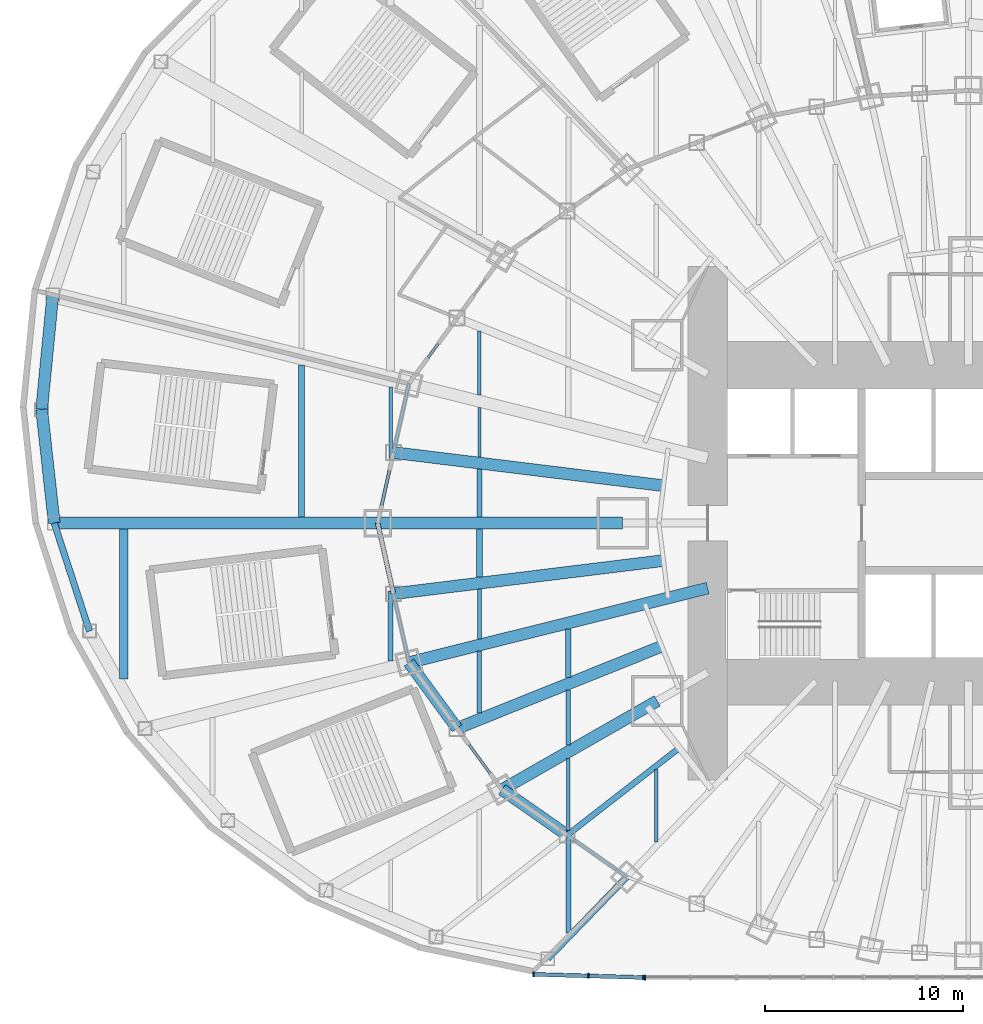
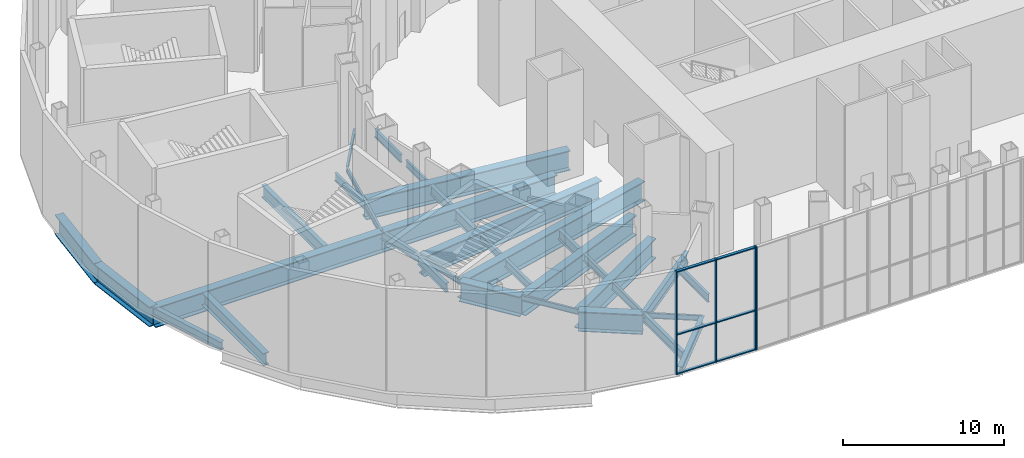
# One storey, part 2 of 74: 36 beams, 10 members, 2 elements without a shape of their own.
"""IFC4 building model written with IfcOpenShell, lengths in metres."""

from ifc_helpers import new_model, si_unit, direction, frame, origin, origin_2d, place, context, subcontext, project, spatial, rectangle, i_section, extrude, material, material_profile, profile_set, type_object, element, aggregate, save


model = new_model("IFC4")

# Units and contexts
model_context = context("Model", 3, precision=1e-05, world=origin(), true_north=direction((0.0, 1.0)))
body_context = subcontext(model_context, "Body", "Model", "MODEL_VIEW")
ifc_project = project(units=[si_unit("LENGTHUNIT", "METRE"), si_unit("AREAUNIT", "SQUARE_METRE"), si_unit("VOLUMEUNIT", "CUBIC_METRE"), si_unit("PLANEANGLEUNIT", "RADIAN"), si_unit("MASSUNIT", "GRAM", prefix="KILO")], contexts=[model_context])

# Site, building, storey
site_placement = place(None, origin())
site = spatial("IfcSite", under=ifc_project, at=site_placement, CompositionType="ELEMENT")
building_placement = place(site_placement, origin())
building = spatial("IfcBuilding", under=site, at=building_placement, Name="Lantaw Convention Tower", CompositionType="ELEMENT")
storey_placement = place(building_placement, frame((0.0, 0.0, 6.5)))
storey = spatial("IfcBuildingStorey", under=building, at=storey_placement, Name="L01", CompositionType="ELEMENT", Elevation=6.5)

# Beams
ifc_material_1 = material(Name="Steel ASTM A572 Grade 50", Category="steel")
ifc_material_profile_1 = material_profile(ifc_material_1, i_section(OverallWidth=0.60009765625, OverallDepth=1.5, WebThickness=0.02490234375, FlangeThickness=0.06005859375, at=origin_2d()), Name="PG1500X600X25X60")
ifc_profile_set_1 = profile_set([ifc_material_profile_1], Name="Steel ASTM A572 Grade 50")
beam_type_1 = type_object("IfcBeamType", Name="Beam E PG1500X600X25X60", PredefinedType="SPANDREL", material=ifc_profile_set_1)
beam_1_placement = place(storey_placement, frame((-28.31787109375, -7.060302734375, -0.949951171875), z_axis=(0.591255937291, -0.806483984105, 0.0), x_axis=(0.806483984105, 0.591255937291, 0.0)))
element("IfcBeam", 1, at=beam_1_placement, inside=storey, type_object=beam_type_1, Name="Edge beam 14", PredefinedType="SPANDREL", context=body_context, shape_type="SweptSolid", body=[
    extrude(i_section(OverallWidth=0.60009765625, OverallDepth=1.5, WebThickness=0.02490234375, FlangeThickness=0.06005859375, at=origin_2d()), origin(), (0.0, 0.0, 1.0), 4.126708984375),
])
beam_2_placement = place(storey_placement, frame((-23.60498046875, -13.488525390625, -0.949951171875), z_axis=(0.819442856133, -0.573160889744, 0.0), x_axis=(0.573160889744, 0.819442856133, 0.0)))
element("IfcBeam", 2, at=beam_2_placement, inside=storey, type_object=beam_type_1, Name="Edge beam 15", PredefinedType="SPANDREL", context=body_context, shape_type="SweptSolid", body=[
    extrude(i_section(OverallWidth=0.60009765625, OverallDepth=1.5, WebThickness=0.02490234375, FlangeThickness=0.06005859375, at=origin_2d()), origin(), (0.0, 0.0, 1.0), 4.022705078125),
])
beam_3_placement = place(storey_placement, frame((-46.342529296875, 11.554443359375, -0.949951171875), z_axis=(-0.097112121047, -0.995273447825, 0.0), x_axis=(0.995273447825, -0.097112121047, 0.0)))
element("IfcBeam", 3, at=beam_3_placement, inside=storey, type_object=beam_type_1, Name="Podium edge beam R11", PredefinedType="SPANDREL", context=body_context, shape_type="SweptSolid", body=[
    extrude(i_section(OverallWidth=0.60009765625, OverallDepth=1.5, WebThickness=0.02490234375, FlangeThickness=0.06005859375, at=origin_2d()), origin(), (0.0, 0.0, 1.0), 5.822509765625),
])
beam_4_placement = place(storey_placement, frame((-46.907958984375, 5.759521484375, -0.949951171875), z_axis=(0.109673093737, -0.993967712006, 0.0), x_axis=(0.993967712006, 0.109673093737, 0.0)))
element("IfcBeam", 4, at=beam_4_placement, inside=storey, type_object=beam_type_1, Name="Podium edge beam B11", PredefinedType="SPANDREL", context=body_context, shape_type="SweptSolid", body=[
    extrude(i_section(OverallWidth=0.60009765625, OverallDepth=1.5, WebThickness=0.02490234375, FlangeThickness=0.06005859375, at=origin_2d()), origin(), (0.0, 0.0, 1.0), 5.79443359375),
])
ifc_material_2 = material(Name="Steel ASTM A992", Category="steel")
ifc_material_profile_2 = material_profile(ifc_material_2, i_section(OverallWidth=0.140380859375, OverallDepth=0.40380859375, WebThickness=0.007080078125, FlangeThickness=0.01123046875, FilletRadius=0.01025390625, at=origin_2d()), Name="W16X31")
ifc_profile_set_2 = profile_set([ifc_material_profile_2], Name="Steel ASTM A992")
beam_type_2 = type_object("IfcBeamType", Name="Beam E W16X31", PredefinedType="SPANDREL", material=ifc_profile_set_2)
beam_5_placement = place(storey_placement, frame((-25.8779296875, 10.388427734375, -0.40185546875), z_axis=(-0.591255937291, -0.806483984105, 0.0), x_axis=(0.806483984105, -0.591255937291, 0.0)))
element("IfcBeam", 5, at=beam_5_placement, inside=storey, type_object=beam_type_2, Name="Edge beam 11", PredefinedType="SPANDREL", context=body_context, shape_type="SweptSolid", body=[
    extrude(i_section(OverallWidth=0.140380859375, OverallDepth=0.40380859375, WebThickness=0.007080078125, FlangeThickness=0.01123046875, FilletRadius=0.01025390625, at=origin_2d()), origin(), (0.0, 0.0, 1.0), 4.126708984375),
])
for number, where, z_axis, x_axis, name in (
    (6, (-28.31787109375, 7.060302734375, -0.40185546875), (-0.218673326171, -0.97579812278, 0.0), (0.97579812278, -0.218673326171, 0.0), "Edge beam 12"),
    (7, (-29.099365234375, -3.572998046875, -0.40185546875), (0.218673326171, -0.97579812278, 0.0), (0.97579812278, 0.218673326171, 0.0), "Edge beam 13"),
):
    element("IfcBeam", number, at=place(storey_placement, frame(where, z_axis=z_axis, x_axis=x_axis)), inside=storey, type_object=beam_type_2, Name=name, PredefinedType="SPANDREL", context=body_context, shape_type="SweptSolid", body=[
        extrude(i_section(OverallWidth=0.140380859375, OverallDepth=0.40380859375, WebThickness=0.007080078125, FlangeThickness=0.01123046875, FilletRadius=0.01025390625, at=origin_2d()), origin(), (0.0, 0.0, 1.0), 3.57373046875),
    ])
beam_6_placement = place(storey_placement, frame((-25.8779296875, -10.388427734375, -0.40185546875), z_axis=(0.591286566758, -0.806461527893, 0.0), x_axis=(0.806461527893, 0.591286566758, 0.0)))
element("IfcBeam", 8, at=beam_6_placement, inside=storey, type_object=beam_type_2, Name="Edge beam 14", PredefinedType="SPANDREL", context=body_context, shape_type="SweptSolid", body=[
    extrude(i_section(OverallWidth=0.140380859375, OverallDepth=0.40380859375, WebThickness=0.007080078125, FlangeThickness=0.01123046875, FilletRadius=0.01025390625, at=origin_2d()), origin(), (0.0, 0.0, 1.0), 3.843994140625),
])
beam_7_placement = place(storey_placement, frame((-20.30859375, -15.794189453125, -0.40185546875), z_axis=(0.819409395821, -0.573208724672, 0.0), x_axis=(0.573208724672, 0.819409395821, 0.0)))
element("IfcBeam", 9, at=beam_7_placement, inside=storey, type_object=beam_type_2, Name="Edge beam 15", PredefinedType="SPANDREL", context=body_context, shape_type="SweptSolid", body=[
    extrude(i_section(OverallWidth=0.140380859375, OverallDepth=0.40380859375, WebThickness=0.007080078125, FlangeThickness=0.01123046875, FilletRadius=0.01025390625, at=origin_2d()), origin(), (0.0, 0.0, 1.0), 3.682861328125),
])
ifc_material_profile_3 = material_profile(ifc_material_2, i_section(OverallWidth=0.165771484375, OverallDepth=0.5283203125, WebThickness=0.009765625, FlangeThickness=0.013671875, FilletRadius=0.012939453125, at=origin_2d()), Name="W21X50")
ifc_profile_set_3 = profile_set([ifc_material_profile_3], Name="Steel ASTM A992")
beam_type_3 = type_object("IfcBeamType", Name="Beam E W21X50", PredefinedType="SPANDREL", material=ifc_profile_set_3)
beam_8_placement = place(storey_placement, frame((-29.099365234375, 3.572998046875, -0.464111328125), z_axis=(-0.218631550323, -0.975807483679, 0.0), x_axis=(0.975807483679, -0.218631550323, 0.0)))
element("IfcBeam", 10, at=beam_8_placement, inside=storey, type_object=beam_type_3, Name="Edge beam 12", PredefinedType="SPANDREL", context=body_context, shape_type="SweptSolid", body=[
    extrude(i_section(OverallWidth=0.165771484375, OverallDepth=0.5283203125, WebThickness=0.009765625, FlangeThickness=0.013671875, FilletRadius=0.012939453125, at=origin_2d()), origin(), (0.0, 0.0, 1.0), 3.66162109375),
])
ifc_material_profile_4 = material_profile(ifc_material_2, i_section(OverallWidth=0.3251953125, OverallDepth=0.612060546875, WebThickness=0.0126953125, FlangeThickness=0.01904296875, FilletRadius=0.0126953125, at=origin_2d()), Name="W24X104")
ifc_profile_set_4 = profile_set([ifc_material_profile_4], Name="Steel ASTM A992")
beam_type_4 = type_object("IfcBeamType", Name="Beam E W24X104", PredefinedType="SPANDREL", material=ifc_profile_set_4)
beam_9_placement = place(storey_placement, frame((-46.2724609375, 0.0, -0.506103515625), z_axis=(0.310448009473, -0.950590360468, 0.0), x_axis=(0.950590360468, 0.310448009473, 0.0)))
element("IfcBeam", 11, at=beam_9_placement, inside=storey, type_object=beam_type_4, Name="Podium edge beam R12", PredefinedType="SPANDREL", context=body_context, shape_type="SweptSolid", body=[
    extrude(i_section(OverallWidth=0.3251953125, OverallDepth=0.612060546875, WebThickness=0.0126953125, FlangeThickness=0.01904296875, FilletRadius=0.0126953125, at=origin_2d()), origin(), (0.0, 0.0, 1.0), 5.746337890625),
])
ifc_material_profile_5 = material_profile(ifc_material_2, i_section(OverallWidth=0.22900390625, OverallDepth=0.612060546875, WebThickness=0.011962890625, FlangeThickness=0.01953125, FilletRadius=0.0126953125, at=origin_2d()), Name="W24X84")
ifc_profile_set_5 = profile_set([ifc_material_profile_5], Name="Steel ASTM A992")
beam_type_5 = type_object("IfcBeamType", Name="Beam E W24X84", PredefinedType="SPANDREL", material=ifc_profile_set_5)
beam_10_placement = place(storey_placement, frame((-29.89990234375, 0.0, -0.506103515625), z_axis=(0.218631550323, -0.975807483679, 0.0), x_axis=(0.975807483679, 0.218631550323, 0.0)))
element("IfcBeam", 12, at=beam_10_placement, inside=storey, type_object=beam_type_5, Name="Edge beam 13", PredefinedType="SPANDREL", context=body_context, shape_type="SweptSolid", body=[
    extrude(i_section(OverallWidth=0.22900390625, OverallDepth=0.612060546875, WebThickness=0.011962890625, FlangeThickness=0.01953125, FilletRadius=0.0126953125, at=origin_2d()), origin(), (0.0, 0.0, 1.0), 3.66162109375),
])
ifc_material_profile_6 = material_profile(ifc_material_1, i_section(OverallWidth=0.60009765625, OverallDepth=1.5, WebThickness=0.02490234375, FlangeThickness=0.06005859375, at=origin_2d()), Name="PG1500X600X25X60")
ifc_profile_set_6 = profile_set([ifc_material_profile_6], Name="Steel ASTM A572 Grade 50")
beam_type_6 = type_object("IfcBeamType", Name="Beam G PG1500X600X25X60", PredefinedType="BEAM", material=ifc_profile_set_6)
beam_11_placement = place(storey_placement, frame((-15.433349609375, 1.89501953125, -0.949951171875), z_axis=(-0.99254612715, 0.121869542874, 0.0), x_axis=(-0.121869542874, -0.99254612715, 0.0)))
element("IfcBeam", 13, at=beam_11_placement, inside=storey, type_object=beam_type_6, Name="Floor girder on bisector 12", PredefinedType="BEAM", context=body_context, shape_type="SweptSolid", body=[
    extrude(i_section(OverallWidth=0.60009765625, OverallDepth=1.5, WebThickness=0.02490234375, FlangeThickness=0.06005859375, at=origin_2d()), origin(), (0.0, 0.0, 1.0), 13.7685546875),
])
beam_12_placement = place(storey_placement, frame((-17.5, 0.0, -0.949951171875), z_axis=(-1.0, 0.0, 0.0), x_axis=(0.0, -1.0, 0.0)))
element("IfcBeam", 14, at=beam_12_placement, inside=storey, type_object=beam_type_6, Name="Floor girder on ray 13", PredefinedType="BEAM", context=body_context, shape_type="SweptSolid", body=[
    extrude(i_section(OverallWidth=0.60009765625, OverallDepth=1.5, WebThickness=0.02490234375, FlangeThickness=0.06005859375, at=origin_2d()), origin(), (0.0, 0.0, 1.0), 12.39990234375),
])
beam_13_placement = place(storey_placement, frame((-15.433349609375, -1.89501953125, -0.949951171875), z_axis=(-0.99254612715, -0.121869542874, 0.0), x_axis=(0.121869542874, -0.99254612715, 0.0)))
element("IfcBeam", 15, at=beam_13_placement, inside=storey, type_object=beam_type_6, Name="Floor girder on bisector 13", PredefinedType="BEAM", context=body_context, shape_type="SweptSolid", body=[
    extrude(i_section(OverallWidth=0.60009765625, OverallDepth=1.5, WebThickness=0.02490234375, FlangeThickness=0.06005859375, at=origin_2d()), origin(), (0.0, 0.0, 1.0), 13.7685546875),
])
beam_14_placement = place(storey_placement, frame((-13.199951171875, -3.291015625, -0.949951171875), z_axis=(-0.970296233567, -0.241919860957, 0.0), x_axis=(0.241919860957, -0.970296233567, 0.0)))
element("IfcBeam", 16, at=beam_14_placement, inside=storey, type_object=beam_type_6, Name="Floor girder on ray 14", PredefinedType="BEAM", context=body_context, shape_type="SweptSolid", body=[
    extrude(i_section(OverallWidth=0.60009765625, OverallDepth=1.5, WebThickness=0.02490234375, FlangeThickness=0.06005859375, at=origin_2d()), origin(), (0.0, 0.0, 1.0), 15.580810546875),
])
beam_15_placement = place(storey_placement, frame((-15.52001953125, -6.23046875, -0.949951171875), z_axis=(-0.928018900171, -0.372533113864, 0.0), x_axis=(0.372533113864, -0.928018900171, 0.0)))
element("IfcBeam", 17, at=beam_15_placement, inside=storey, type_object=beam_type_6, Name="Floor girder on bisector 14", PredefinedType="BEAM", context=body_context, shape_type="SweptSolid", body=[
    extrude(i_section(OverallWidth=0.60009765625, OverallDepth=1.5, WebThickness=0.02490234375, FlangeThickness=0.06005859375, at=origin_2d()), origin(), (0.0, 0.0, 1.0), 11.161376953125),
])
beam_16_placement = place(storey_placement, frame((-15.75, -9.0, -0.949951171875), z_axis=(-0.868244802791, -0.496136032179, 0.0), x_axis=(0.496136032179, -0.868244802791, 0.0)))
element("IfcBeam", 18, at=beam_16_placement, inside=storey, type_object=beam_type_6, Name="Floor girder on ray 15", PredefinedType="BEAM", context=body_context, shape_type="SweptSolid", body=[
    extrude(i_section(OverallWidth=0.60009765625, OverallDepth=1.5, WebThickness=0.02490234375, FlangeThickness=0.06005859375, at=origin_2d()), origin(), (0.0, 0.0, 1.0), 9.046875),
])
ifc_material_profile_7 = material_profile(ifc_material_2, i_section(OverallWidth=0.2919921875, OverallDepth=0.845703125, WebThickness=0.015380859375, FlangeThickness=0.0244140625, FilletRadius=0.01513671875, at=origin_2d()), Name="W33X141")
ifc_profile_set_7 = profile_set([ifc_material_profile_7], Name="Steel ASTM A992")
beam_type_7 = type_object("IfcBeamType", Name="Beam G W33X141", PredefinedType="BEAM", material=ifc_profile_set_7)
beam_17_placement = place(storey_placement, frame((-14.628173828125, -11.37646484375, -0.622802734375), z_axis=(-0.789377792374, -0.613907729961, 0.0), x_axis=(0.613907729961, -0.789377792374, 0.0)))
element("IfcBeam", 19, at=beam_17_placement, inside=storey, type_object=beam_type_7, Name="Floor girder on bisector 15", PredefinedType="BEAM", context=body_context, shape_type="SweptSolid", body=[
    extrude(i_section(OverallWidth=0.2919921875, OverallDepth=0.845703125, WebThickness=0.015380859375, FlangeThickness=0.0244140625, FilletRadius=0.01513671875, at=origin_2d()), origin(), (0.0, 0.0, 1.0), 7.196044921875),
])
ifc_material_profile_8 = material_profile(ifc_material_2, i_section(OverallWidth=0.1650390625, OverallDepth=0.52587890625, WebThickness=0.0087890625, FlangeThickness=0.011474609375, FilletRadius=0.0126953125, at=origin_2d()), Name="W21X44")
ifc_profile_set_8 = profile_set([ifc_material_profile_8], Name="Steel ASTM A992")
beam_type_8 = type_object("IfcBeamType", Name="Beam J W21X44", PredefinedType="JOIST", material=ifc_profile_set_8)
beam_18_placement = place(storey_placement, frame((-24.75, 3.341064453125, -0.462890625), z_axis=(0.0, 1.0, 0.0), x_axis=(-1.0, 0.0, 0.0)))
element("IfcBeam", 20, at=beam_18_placement, inside=storey, type_object=beam_type_8, Name="Floor joist", PredefinedType="JOIST", context=body_context, shape_type="SweptSolid", body=[
    extrude(i_section(OverallWidth=0.1650390625, OverallDepth=0.52587890625, WebThickness=0.0087890625, FlangeThickness=0.011474609375, FilletRadius=0.0126953125, at=origin_2d()), origin(), (0.0, 0.0, 1.0), 2.5205078125),
])
ifc_material_profile_9 = material_profile(ifc_material_2, i_section(OverallWidth=0.2099609375, OverallDepth=0.535888671875, WebThickness=0.010986328125, FlangeThickness=0.017333984375, FilletRadius=0.012939453125, at=origin_2d()), Name="W21X68")
ifc_profile_set_9 = profile_set([ifc_material_profile_9], Name="Steel ASTM A992")
beam_type_9 = type_object("IfcBeamType", Name="Beam J W21X68", PredefinedType="JOIST", material=ifc_profile_set_9)
beam_19_placement = place(storey_placement, frame((-24.75, -5.861572265625, -0.468017578125), z_axis=(0.0, 1.0, 0.0), x_axis=(-1.0, 0.0, 0.0)))
element("IfcBeam", 21, at=beam_19_placement, inside=storey, type_object=beam_type_9, Name="Floor joist", PredefinedType="JOIST", context=body_context, shape_type="SweptSolid", body=[
    extrude(i_section(OverallWidth=0.2099609375, OverallDepth=0.535888671875, WebThickness=0.010986328125, FlangeThickness=0.017333984375, FilletRadius=0.012939453125, at=origin_2d()), origin(), (0.0, 0.0, 1.0), 2.5205078125),
])
beam_20_placement = place(storey_placement, frame((-20.25, -11.225830078125, -0.468017578125), z_axis=(0.0, 1.0, 0.0), x_axis=(-1.0, 0.0, 0.0)))
element("IfcBeam", 22, at=beam_20_placement, inside=storey, type_object=beam_type_9, Name="Floor joist", PredefinedType="JOIST", context=body_context, shape_type="SweptSolid", body=[
    extrude(i_section(OverallWidth=0.2099609375, OverallDepth=0.535888671875, WebThickness=0.010986328125, FlangeThickness=0.017333984375, FilletRadius=0.012939453125, at=origin_2d()), origin(), (0.0, 0.0, 1.0), 2.7734375),
])
ifc_material_profile_10 = material_profile(ifc_material_2, i_section(OverallWidth=0.177978515625, OverallDepth=0.599365234375, WebThickness=0.010009765625, FlangeThickness=0.012939453125, FilletRadius=0.012939453125, at=origin_2d()), Name="W24X55")
ifc_profile_set_10 = profile_set([ifc_material_profile_10], Name="Steel ASTM A992")
beam_type_10 = type_object("IfcBeamType", Name="Beam J W24X55", PredefinedType="JOIST", material=ifc_profile_set_10)
beam_21_placement = place(storey_placement, frame((-29.25, 3.27978515625, -0.499755859375), z_axis=(0.0, 1.0, 0.0), x_axis=(-1.0, 0.0, 0.0)))
element("IfcBeam", 23, at=beam_21_placement, inside=storey, type_object=beam_type_10, Name="Floor joist", PredefinedType="JOIST", context=body_context, shape_type="SweptSolid", body=[
    extrude(i_section(OverallWidth=0.177978515625, OverallDepth=0.599365234375, WebThickness=0.010009765625, FlangeThickness=0.012939453125, FilletRadius=0.012939453125, at=origin_2d()), origin(), (0.0, 0.0, 1.0), 3.600830078125),
])
beam_22_placement = place(storey_placement, frame((-24.75, 6.47998046875, -0.499755859375), z_axis=(0.0, 1.0, 0.0), x_axis=(-1.0, 0.0, 0.0)))
element("IfcBeam", 24, at=beam_22_placement, inside=storey, type_object=beam_type_10, Name="Floor joist", PredefinedType="JOIST", context=body_context, shape_type="SweptSolid", body=[
    extrude(i_section(OverallWidth=0.177978515625, OverallDepth=0.599365234375, WebThickness=0.010009765625, FlangeThickness=0.012939453125, FilletRadius=0.012939453125, at=origin_2d()), origin(), (0.0, 0.0, 1.0), 3.238037109375),
])
beam_23_placement = place(storey_placement, frame((-20.25, -15.5634765625, -0.499755859375), z_axis=(0.0, 1.0, 0.0), x_axis=(-1.0, 0.0, 0.0)))
element("IfcBeam", 25, at=beam_23_placement, inside=storey, type_object=beam_type_10, Name="Floor joist", PredefinedType="JOIST", context=body_context, shape_type="SweptSolid", body=[
    extrude(i_section(OverallWidth=0.177978515625, OverallDepth=0.599365234375, WebThickness=0.010009765625, FlangeThickness=0.012939453125, FilletRadius=0.012939453125, at=origin_2d()), origin(), (0.0, 0.0, 1.0), 3.646484375),
])
beam_24_placement = place(storey_placement, frame((-15.800048828125, -16.14013671875, -0.499755859375), z_axis=(0.0, 1.0, 0.0), x_axis=(-1.0, 0.0, 0.0)))
element("IfcBeam", 26, at=beam_24_placement, inside=storey, type_object=beam_type_10, Name="Floor joist", PredefinedType="JOIST", context=body_context, shape_type="SweptSolid", body=[
    extrude(i_section(OverallWidth=0.177978515625, OverallDepth=0.599365234375, WebThickness=0.010009765625, FlangeThickness=0.012939453125, FilletRadius=0.012939453125, at=origin_2d()), origin(), (0.0, 0.0, 1.0), 3.667236328125),
])
ifc_material_profile_11 = material_profile(ifc_material_2, i_section(OverallWidth=0.22900390625, OverallDepth=0.612060546875, WebThickness=0.011962890625, FlangeThickness=0.01953125, FilletRadius=0.0126953125, at=origin_2d()), Name="W24X84")
ifc_profile_set_11 = profile_set([ifc_material_profile_11], Name="Steel ASTM A992")
beam_type_11 = type_object("IfcBeamType", Name="Beam J W24X84", PredefinedType="JOIST", material=ifc_profile_set_11)
beam_25_placement = place(storey_placement, frame((-24.75, -9.6123046875, -0.506103515625), z_axis=(0.0, 1.0, 0.0), x_axis=(-1.0, 0.0, 0.0)))
element("IfcBeam", 27, at=beam_25_placement, inside=storey, type_object=beam_type_11, Name="Floor joist", PredefinedType="JOIST", context=body_context, shape_type="SweptSolid", body=[
    extrude(i_section(OverallWidth=0.22900390625, OverallDepth=0.612060546875, WebThickness=0.011962890625, FlangeThickness=0.01953125, FilletRadius=0.0126953125, at=origin_2d()), origin(), (0.0, 0.0, 1.0), 3.13232421875),
])
ifc_material_profile_12 = material_profile(ifc_material_2, i_section(OverallWidth=0.25390625, OverallDepth=0.700927734375, WebThickness=0.015380859375, FlangeThickness=0.02783203125, FilletRadius=0.01513671875, at=origin_2d()), Name="W27X129")
ifc_profile_set_12 = profile_set([ifc_material_profile_12], Name="Steel ASTM A992")
beam_type_12 = type_object("IfcBeamType", Name="Beam J W27X129", PredefinedType="JOIST", material=ifc_profile_set_12)
beam_26_placement = place(storey_placement, frame((-24.75, 0.300048828125, -0.550537109375), z_axis=(0.0, 1.0, 0.0), x_axis=(-1.0, 0.0, 0.0)))
element("IfcBeam", 28, at=beam_26_placement, inside=storey, type_object=beam_type_12, Name="Floor joist", PredefinedType="JOIST", context=body_context, shape_type="SweptSolid", body=[
    extrude(i_section(OverallWidth=0.25390625, OverallDepth=0.700927734375, WebThickness=0.015380859375, FlangeThickness=0.02783203125, FilletRadius=0.01513671875, at=origin_2d()), origin(), (0.0, 0.0, 1.0), 2.4365234375),
])
ifc_material_profile_13 = material_profile(ifc_material_2, i_section(OverallWidth=0.25390625, OverallDepth=0.683349609375, WebThickness=0.012451171875, FlangeThickness=0.01904296875, FilletRadius=0.01513671875, at=origin_2d()), Name="W27X94")
ifc_profile_set_13 = profile_set([ifc_material_profile_13], Name="Steel ASTM A992")
beam_type_13 = type_object("IfcBeamType", Name="Beam J W27X94", PredefinedType="JOIST", material=ifc_profile_set_13)
beam_27_placement = place(storey_placement, frame((-29.25, -6.983642578125, -0.541748046875), z_axis=(0.0, 1.0, 0.0), x_axis=(-1.0, 0.0, 0.0)))
element("IfcBeam", 29, at=beam_27_placement, inside=storey, type_object=beam_type_13, Name="Floor joist", PredefinedType="JOIST", context=body_context, shape_type="SweptSolid", body=[
    extrude(i_section(OverallWidth=0.25390625, OverallDepth=0.683349609375, WebThickness=0.012451171875, FlangeThickness=0.01904296875, FilletRadius=0.01513671875, at=origin_2d()), origin(), (0.0, 0.0, 1.0), 3.55908203125),
])
beam_28_placement = place(storey_placement, frame((-20.25, -20.735595703125, -0.541748046875), z_axis=(0.0, 1.0, 0.0), x_axis=(-1.0, 0.0, 0.0)))
element("IfcBeam", 30, at=beam_28_placement, inside=storey, type_object=beam_type_13, Name="Floor joist", PredefinedType="JOIST", context=body_context, shape_type="SweptSolid", body=[
    extrude(i_section(OverallWidth=0.25390625, OverallDepth=0.683349609375, WebThickness=0.012451171875, FlangeThickness=0.01904296875, FilletRadius=0.01513671875, at=origin_2d()), origin(), (0.0, 0.0, 1.0), 4.814697265625),
])
ifc_material_profile_14 = material_profile(ifc_material_2, i_section(OverallWidth=0.2666015625, OverallDepth=0.7568359375, WebThickness=0.013916015625, FlangeThickness=0.019287109375, FilletRadius=0.0126953125, at=origin_2d()), Name="W30X108")
ifc_profile_set_14 = profile_set([ifc_material_profile_14], Name="Steel ASTM A992")
beam_type_14 = type_object("IfcBeamType", Name="Beam J W30X108", PredefinedType="JOIST", material=ifc_profile_set_14)
beam_29_placement = place(storey_placement, frame((-20.25, -7.805908203125, -0.578369140625), z_axis=(0.0, 1.0, 0.0), x_axis=(-1.0, 0.0, 0.0)))
element("IfcBeam", 31, at=beam_29_placement, inside=storey, type_object=beam_type_14, Name="Floor joist", PredefinedType="JOIST", context=body_context, shape_type="SweptSolid", body=[
    extrude(i_section(OverallWidth=0.2666015625, OverallDepth=0.7568359375, WebThickness=0.013916015625, FlangeThickness=0.019287109375, FilletRadius=0.0126953125, at=origin_2d()), origin(), (0.0, 0.0, 1.0), 2.44775390625),
])
ifc_material_profile_15 = material_profile(ifc_material_2, i_section(OverallWidth=0.2919921875, OverallDepth=0.845703125, WebThickness=0.015380859375, FlangeThickness=0.0244140625, FilletRadius=0.01513671875, at=origin_2d()), Name="W33X141")
ifc_profile_set_15 = profile_set([ifc_material_profile_15], Name="Steel ASTM A992")
beam_type_15 = type_object("IfcBeamType", Name="Beam J W33X141", PredefinedType="JOIST", material=ifc_profile_set_15)
beam_30_placement = place(storey_placement, frame((-24.75, -2.736572265625, -0.622802734375), z_axis=(0.0, 1.0, 0.0), x_axis=(-1.0, 0.0, 0.0)))
element("IfcBeam", 32, at=beam_30_placement, inside=storey, type_object=beam_type_15, Name="Floor joist", PredefinedType="JOIST", context=body_context, shape_type="SweptSolid", body=[
    extrude(i_section(OverallWidth=0.2919921875, OverallDepth=0.845703125, WebThickness=0.015380859375, FlangeThickness=0.0244140625, FilletRadius=0.01513671875, at=origin_2d()), origin(), (0.0, 0.0, 1.0), 2.4365234375),
])
ifc_material_profile_16 = material_profile(ifc_material_2, i_section(OverallWidth=0.307373046875, OverallDepth=0.9423828125, WebThickness=0.022216796875, FlangeThickness=0.039794921875, FilletRadius=0.0126953125, at=origin_2d()), Name="W36X232")
ifc_profile_set_16 = profile_set([ifc_material_profile_16], Name="Steel ASTM A992")
beam_type_16 = type_object("IfcBeamType", Name="Beam J W36X232", PredefinedType="JOIST", material=ifc_profile_set_16)
beam_31_placement = place(storey_placement, frame((-33.75, 0.300048828125, -0.671142578125), z_axis=(0.0, 1.0, 0.0), x_axis=(-1.0, 0.0, 0.0)))
element("IfcBeam", 33, at=beam_31_placement, inside=storey, type_object=beam_type_16, Name="Floor joist", PredefinedType="JOIST", context=body_context, shape_type="SweptSolid", body=[
    extrude(i_section(OverallWidth=0.307373046875, OverallDepth=0.9423828125, WebThickness=0.022216796875, FlangeThickness=0.039794921875, FilletRadius=0.0126953125, at=origin_2d()), origin(), (0.0, 0.0, 1.0), 7.70263671875),
])
ifc_material_profile_17 = material_profile(ifc_material_2, i_section(OverallWidth=0.421630859375, OverallDepth=0.937255859375, WebThickness=0.0224609375, FlangeThickness=0.039794921875, FilletRadius=0.02001953125, at=origin_2d()), Name="W36X282")
ifc_profile_set_17 = profile_set([ifc_material_profile_17], Name="Steel ASTM A992")
beam_type_17 = type_object("IfcBeamType", Name="Beam J W36X282", PredefinedType="JOIST", material=ifc_profile_set_17)
beam_32_placement = place(storey_placement, frame((-42.75, -7.89990234375, -0.668701171875), z_axis=(0.0, 1.0, 0.0), x_axis=(-1.0, 0.0, 0.0)))
element("IfcBeam", 34, at=beam_32_placement, inside=storey, type_object=beam_type_17, Name="Floor joist", PredefinedType="JOIST", context=body_context, shape_type="SweptSolid", body=[
    extrude(i_section(OverallWidth=0.421630859375, OverallDepth=0.937255859375, WebThickness=0.0224609375, FlangeThickness=0.039794921875, FilletRadius=0.02001953125, at=origin_2d()), origin(), (0.0, 0.0, 1.0), 7.599853515625),
])
ifc_material_profile_18 = material_profile(ifc_material_1, i_section(OverallWidth=0.60009765625, OverallDepth=1.5, WebThickness=0.02490234375, FlangeThickness=0.06005859375, at=origin_2d()), Name="PG1500X600X25X60")
ifc_profile_set_18 = profile_set([ifc_material_profile_18], Name="Steel ASTM A572 Grade 50")
beam_type_18 = type_object("IfcBeamType", Name="Beam PG PG1500X600X25X60", PredefinedType="BEAM", material=ifc_profile_set_18)
beam_33_placement = place(storey_placement, frame((-29.89990234375, 0.0, -0.949951171875), z_axis=(-1.0, 0.0, 0.0), x_axis=(0.0, -1.0, 0.0)))
element("IfcBeam", 35, at=beam_33_placement, inside=storey, type_object=beam_type_18, Name="Podium girder PR13", PredefinedType="BEAM", context=body_context, shape_type="SweptSolid", body=[
    extrude(i_section(OverallWidth=0.60009765625, OverallDepth=1.5, WebThickness=0.02490234375, FlangeThickness=0.06005859375, at=origin_2d()), origin(), (0.0, 0.0, 1.0), 16.37255859375),
])
ifc_material_profile_19 = material_profile(ifc_material_2, i_section(OverallWidth=0.3251953125, OverallDepth=0.612060546875, WebThickness=0.0126953125, FlangeThickness=0.01904296875, FilletRadius=0.0126953125, at=origin_2d()), Name="W24X104")
ifc_profile_set_19 = profile_set([ifc_material_profile_19], Name="Steel ASTM A992")
beam_type_19 = type_object("IfcBeamType", Name="Beam PG W24X104", PredefinedType="BEAM", material=ifc_profile_set_19)
beam_34_placement = place(storey_placement, frame((-17.290771484375, -17.9052734375, -0.506103515625), z_axis=(-0.694661096328, -0.719337167987, 0.0), x_axis=(0.719337167987, -0.694661096328, 0.0)))
element("IfcBeam", 36, at=beam_34_placement, inside=storey, type_object=beam_type_19, Name="Podium girder PR16", PredefinedType="BEAM", context=body_context, shape_type="SweptSolid", body=[
    extrude(i_section(OverallWidth=0.3251953125, OverallDepth=0.612060546875, WebThickness=0.0126953125, FlangeThickness=0.01904296875, FilletRadius=0.0126953125, at=origin_2d()), origin(), (0.0, 0.0, 1.0), 5.75830078125),
])

# Curtain wall, members
ifc_material_3 = material(Name="Aluminium framed curtain wall", Category="aluminium")
curtain_wall_type = type_object("IfcCurtainWallType", Name="Podium storefront curtain wall, pale aluminium", PredefinedType="USERDEFINED", material=ifc_material_3)
curtain_wall_1_placement = place(storey_placement, origin())
curtain_wall_1 = element("IfcCurtainWall", 37, at=curtain_wall_1_placement, inside=storey, type_object=curtain_wall_type, Name="Podium storefront curtain wall, pale aluminium L01", ObjectType="STOREFRONT", PredefinedType="USERDEFINED")
ifc_material_4 = material(Name="Aluminium 6063-T6", Category="aluminium")
ifc_material_profile_20 = material_profile(ifc_material_4, rectangle(XDim=0.25, YDim=0.080078125, at=origin_2d()), Name="CW-P mullion 80x250")
ifc_profile_set_20 = profile_set([ifc_material_profile_20], Name="Aluminium 6063-T6")
member_type_1 = type_object("IfcMemberType", Name="CW-P mullion 80x250", PredefinedType="MULLION", material=ifc_profile_set_20)
member_1_placement = place(storey_placement, frame((-22.01513671875, -22.83984375, 0.0), z_axis=(0.0, 0.0, 1.0), x_axis=(0.028552206976, 0.99959230263, 0.0)))
member_1 = element("IfcMember", 38, at=member_1_placement, type_object=member_type_1, Name="CW-P mullion 1", PredefinedType="MULLION", context=body_context, shape_type="SweptSolid", body=[
    extrude(rectangle(XDim=0.25, YDim=0.080078125, at=origin_2d()), origin(), (0.0, 0.0, 1.0), 7.800048828125),
])
member_2_placement = place(storey_placement, frame((-19.23046875, -22.91943359375, 0.0), z_axis=(0.0, 0.0, 1.0), x_axis=(0.028552206976, 0.99959230263, 0.0)))
member_2 = element("IfcMember", 39, at=member_2_placement, type_object=member_type_1, Name="CW-P mullion 2", PredefinedType="MULLION", context=body_context, shape_type="SweptSolid", body=[
    extrude(rectangle(XDim=0.25, YDim=0.080078125, at=origin_2d()), origin(), (0.0, 0.0, 1.0), 7.800048828125),
])
member_3_placement = place(storey_placement, frame((-16.44580078125, -22.998779296875, 0.0), z_axis=(0.0, 0.0, 1.0), x_axis=(0.028552206976, 0.99959230263, 0.0)))
member_3 = element("IfcMember", 40, at=member_3_placement, type_object=member_type_1, Name="CW-P mullion 3", PredefinedType="MULLION", context=body_context, shape_type="SweptSolid", body=[
    extrude(rectangle(XDim=0.25, YDim=0.080078125, at=origin_2d()), origin(), (0.0, 0.0, 1.0), 7.800048828125),
])

# Curtain wall, member
curtain_wall_2_placement = place(storey_placement, origin())
curtain_wall_2 = element("IfcCurtainWall", 41, at=curtain_wall_2_placement, inside=storey, type_object=curtain_wall_type, Name="Podium storefront curtain wall, pale aluminium L01", ObjectType="STOREFRONT", PredefinedType="USERDEFINED")
member_4_placement = place(storey_placement, frame((-16.36572265625, -23.0, 0.0), z_axis=(0.0, 0.0, 1.0), x_axis=(0.0, 1.0, 0.0)))
member_4 = element("IfcMember", 42, at=member_4_placement, type_object=member_type_1, Name="CW-P mullion 1", PredefinedType="MULLION", context=body_context, shape_type="SweptSolid", body=[
    extrude(rectangle(XDim=0.25, YDim=0.080078125, at=origin_2d()), origin(), (0.0, 0.0, 1.0), 7.800048828125),
])
aggregate(curtain_wall_2, [member_4])

# Member
ifc_material_profile_21 = material_profile(ifc_material_4, rectangle(XDim=0.199951171875, YDim=0.080078125, at=origin_2d()), Name="CW-P transom 80x200")
ifc_profile_set_21 = profile_set([ifc_material_profile_21], Name="Aluminium 6063-T6")
member_type_2 = type_object("IfcMemberType", Name="CW-P transom 80x200", PredefinedType="USERDEFINED", material=ifc_profile_set_21)
member_5_placement = place(storey_placement, frame((-21.97509765625, -22.8408203125, 0.0400390625), z_axis=(0.999590908137, -0.028600985457, 0.0), x_axis=(0.028600985457, 0.999590908137, 0.0)))
member_5 = element("IfcMember", 43, at=member_5_placement, type_object=member_type_2, Name="CW-P transom 1.1", ObjectType="TRANSOM", PredefinedType="USERDEFINED", context=body_context, shape_type="SweptSolid", body=[
    extrude(rectangle(XDim=0.199951171875, YDim=0.080078125, at=origin_2d()), origin(), (0.0, 0.0, 1.0), 2.7060546875),
])

member_6_placement = place(storey_placement, frame((-21.97509765625, -22.8408203125, 3.0), z_axis=(0.999590908137, -0.028600985457, 0.0), x_axis=(0.028600985457, 0.999590908137, 0.0)))
member_6 = element("IfcMember", 44, at=member_6_placement, type_object=member_type_2, Name="CW-P transom 1.2", ObjectType="TRANSOM", PredefinedType="USERDEFINED", context=body_context, shape_type="SweptSolid", body=[
    extrude(rectangle(XDim=0.199951171875, YDim=0.080078125, at=origin_2d()), origin(), (0.0, 0.0, 1.0), 2.7060546875),
])

member_7_placement = place(storey_placement, frame((-21.97509765625, -22.8408203125, 7.760009765625), z_axis=(0.999590908137, -0.028600985457, 0.0), x_axis=(0.028600985457, 0.999590908137, 0.0)))
member_7 = element("IfcMember", 45, at=member_7_placement, type_object=member_type_2, Name="CW-P transom 1.3", ObjectType="TRANSOM", PredefinedType="USERDEFINED", context=body_context, shape_type="SweptSolid", body=[
    extrude(rectangle(XDim=0.199951171875, YDim=0.080078125, at=origin_2d()), origin(), (0.0, 0.0, 1.0), 2.7060546875),
])

member_8_placement = place(storey_placement, frame((-19.1904296875, -22.92041015625, 0.0400390625), z_axis=(0.999590908137, -0.028600985457, 0.0), x_axis=(0.028600985457, 0.999590908137, 0.0)))
member_8 = element("IfcMember", 46, at=member_8_placement, type_object=member_type_2, Name="CW-P transom 2.1", ObjectType="TRANSOM", PredefinedType="USERDEFINED", context=body_context, shape_type="SweptSolid", body=[
    extrude(rectangle(XDim=0.199951171875, YDim=0.080078125, at=origin_2d()), origin(), (0.0, 0.0, 1.0), 2.7060546875),
])

member_9_placement = place(storey_placement, frame((-19.1904296875, -22.92041015625, 3.0), z_axis=(0.999590908137, -0.028600985457, 0.0), x_axis=(0.028600985457, 0.999590908137, 0.0)))
member_9 = element("IfcMember", 47, at=member_9_placement, type_object=member_type_2, Name="CW-P transom 2.2", ObjectType="TRANSOM", PredefinedType="USERDEFINED", context=body_context, shape_type="SweptSolid", body=[
    extrude(rectangle(XDim=0.199951171875, YDim=0.080078125, at=origin_2d()), origin(), (0.0, 0.0, 1.0), 2.7060546875),
])

member_10_placement = place(storey_placement, frame((-19.1904296875, -22.92041015625, 7.760009765625), z_axis=(0.999590908137, -0.028600985457, 0.0), x_axis=(0.028600985457, 0.999590908137, 0.0)))
member_10 = element("IfcMember", 48, at=member_10_placement, type_object=member_type_2, Name="CW-P transom 2.3", ObjectType="TRANSOM", PredefinedType="USERDEFINED", context=body_context, shape_type="SweptSolid", body=[
    extrude(rectangle(XDim=0.199951171875, YDim=0.080078125, at=origin_2d()), origin(), (0.0, 0.0, 1.0), 2.7060546875),
])

aggregate(curtain_wall_1, [member_1, member_2, member_3, member_5, member_6, member_7, member_8, member_9, member_10])

save(model, "model.ifc")
